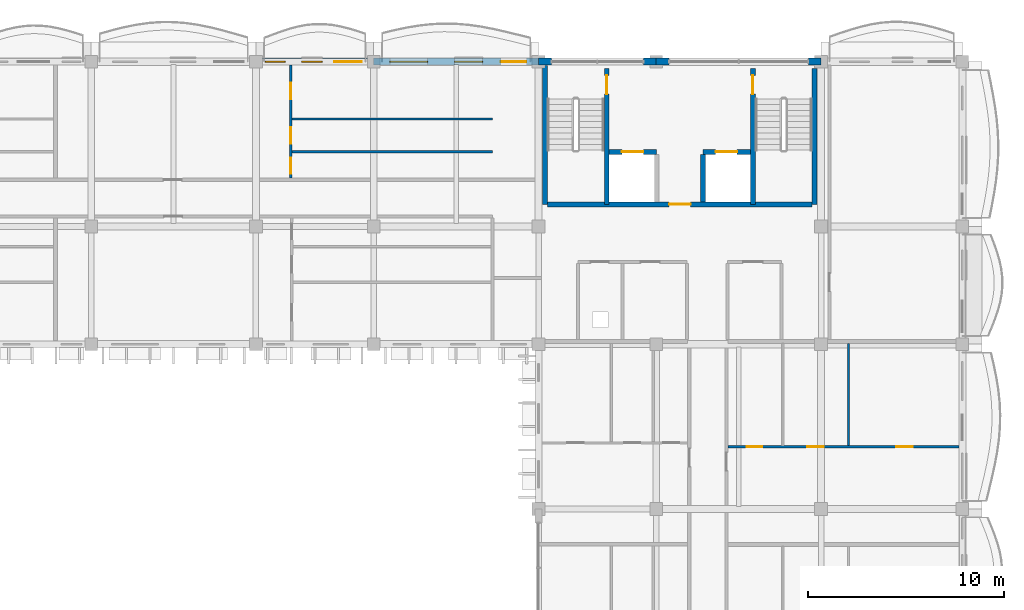
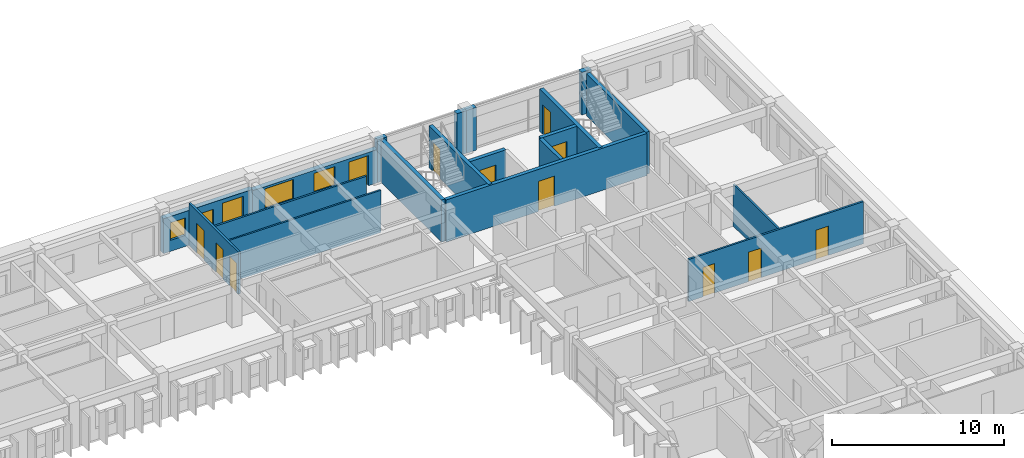
# One storey, part 48 of 79: 19 walls, 13 doors, 4 windows, 17 openings.
"""IFC4 building model written with IfcOpenShell, lengths in metres."""

from ifc_helpers import new_model, si_unit, direction, frame, frame_2d, origin, place, context, subcontext, project, spatial, rectangle, extrude, material, layer, layer_set, type_object, element, fill, save


model = new_model("IFC4")

# Units and contexts
model_context = context("Model", 3, precision=1e-05, world=origin(), true_north=direction((0.0, 1.0)))
body_context = subcontext(model_context, "Body", "Model", "MODEL_VIEW")
ifc_project = project(units=[si_unit("LENGTHUNIT", "METRE"), si_unit("AREAUNIT", "SQUARE_METRE"), si_unit("VOLUMEUNIT", "CUBIC_METRE"), si_unit("PLANEANGLEUNIT", "RADIAN"), si_unit("MASSUNIT", "GRAM", prefix="KILO"), si_unit("THERMODYNAMICTEMPERATUREUNIT", "KELVIN")], contexts=[model_context])

# Site, building, storey
site_placement = place(None, origin())
site = spatial("IfcSite", under=ifc_project, at=site_placement, CompositionType="ELEMENT")
building_placement = place(site_placement, origin())
building = spatial("IfcBuilding", under=site, at=building_placement, Name="Thalorik Housing Commons", CompositionType="ELEMENT")
storey_placement = place(building_placement, frame((0.0, 0.0, 11.39990234375)))
storey = spatial("IfcBuildingStorey", under=building, at=storey_placement, Name="L03", CompositionType="ELEMENT", Elevation=11.39990234375)

# Wall, opening, door
ifc_material_1 = material(Name="Concrete C40/50", Category="concrete")
ifc_layer_1 = layer(ifc_material_1, 0.25, Name="Concrete C40/50", Category="concrete")
ifc_layer_set_1 = layer_set([ifc_layer_1], Name="Concrete C40/50")
wall_type_1 = type_object("IfcWallType", Name="ARC-WAL-CORE-250", PredefinedType="SHEAR", material=ifc_layer_set_1)
wall_1_placement = place(storey_placement, frame((155.875, 123.25, 0.0), z_axis=(0.0, 0.0, 1.0), x_axis=(0.0, -1.0, 0.0)))
wall_1 = element("IfcWall", 1, at=wall_1_placement, inside=storey, type_object=wall_type_1, Name="L03 Core B Stair 1 Shear Wall", PredefinedType="SHEAR", context=body_context, shape_type="SweptSolid", body=[
    extrude(rectangle(XDim=6.925048828125, YDim=0.25, at=frame_2d((3.46240234375, 0.0))), origin(), (0.0, 0.0, 1.0), 3.0),
])
opening_1_placement = place(wall_1_placement, frame((0.35009765625, 0.0, 0.0)))
opening_1 = element("IfcOpeningElement", 2, at=opening_1_placement, cuts=wall_1, Name="Opening ID-0169", PredefinedType="OPENING", context=body_context, shape_type="SweptSolid", body=[
    extrude(rectangle(XDim=0.949951171875, YDim=2.10009765625, at=frame_2d((0.47509765625, 1.050048828125))), frame((0.0, 0.135009765625, 0.0), z_axis=(0.0, -1.0, 0.0), x_axis=(1.0, 0.0, 0.0)), (0.0, 0.0, 1.0), 0.27001953125),
])
ifc_material_2 = material(Name="Steel S355", Category="steel")
door_type_1 = type_object("IfcDoorType", Name="ARC-DR-FD60-950", OperationType="NOTDEFINED", PredefinedType="DOOR", material=ifc_material_2)
door_1_placement = place(opening_1_placement, origin())
door_1 = element("IfcDoor", 3, at=door_1_placement, inside=storey, type_object=door_type_1, Name="L03 Stair ST-B1 Fire Door", OperationType="SINGLE_SWING_RIGHT", OverallHeight=2.10009765625, OverallWidth=0.949951171875, PredefinedType="DOOR", context=body_context, shape_type="SweptSolid", body=[
    extrude(rectangle(XDim=0.949951171875, YDim=2.10009765625, at=frame_2d((0.47509765625, 1.050048828125))), frame((0.0, 0.02490234375, 0.0), z_axis=(0.0, -1.0, 0.0), x_axis=(1.0, 0.0, 0.0)), (0.0, 0.0, 1.0), 0.050048828125),
])
fill(opening_1, door_1)

# Walls
wall_2_placement = place(storey_placement, frame((152.72509765625, 123.39990234375, 0.0), z_axis=(0.0, 0.0, 1.0), x_axis=(0.0, -1.0, 0.0)))
element("IfcWall", 4, at=wall_2_placement, inside=storey, type_object=wall_type_1, Name="L03 Core B Stair 1 Outer Shear Wall", PredefinedType="SHEAR", context=body_context, shape_type="SweptSolid", body=[
    extrude(rectangle(XDim=7.074951171875, YDim=0.25, at=frame_2d((3.53759765625, 0.0))), origin(), (0.0, 0.0, 1.0), 3.0),
])
wall_3_placement = place(storey_placement, frame((166.47509765625, 123.25, 0.0), z_axis=(0.0, 0.0, 1.0), x_axis=(0.0, -1.0, 0.0)))
element("IfcWall", 5, at=wall_3_placement, inside=storey, type_object=wall_type_1, Name="L03 Core B Stair 2 Outer Shear Wall", PredefinedType="SHEAR", context=body_context, shape_type="SweptSolid", body=[
    extrude(rectangle(XDim=6.925048828125, YDim=0.25, at=frame_2d((3.46240234375, 0.0))), origin(), (0.0, 0.0, 1.0), 3.0),
])

# Wall, opening, door
wall_4_placement = place(storey_placement, frame((163.324951171875, 123.25, 0.0), z_axis=(0.0, 0.0, 1.0), x_axis=(0.0, -1.0, 0.0)))
wall_4 = element("IfcWall", 6, at=wall_4_placement, inside=storey, type_object=wall_type_1, Name="L03 Core B Stair 2 Shear Wall", PredefinedType="SHEAR", context=body_context, shape_type="SweptSolid", body=[
    extrude(rectangle(XDim=6.925048828125, YDim=0.25, at=frame_2d((3.46240234375, 0.0))), origin(), (0.0, 0.0, 1.0), 3.0),
])
opening_2_placement = place(wall_4_placement, frame((0.35009765625, 0.0, 0.0)))
opening_2 = element("IfcOpeningElement", 7, at=opening_2_placement, cuts=wall_4, Name="Opening ID-0170", PredefinedType="OPENING", context=body_context, shape_type="SweptSolid", body=[
    extrude(rectangle(XDim=0.949951171875, YDim=2.10009765625, at=frame_2d((0.47509765625, 1.050048828125))), frame((0.0, 0.135009765625, 0.0), z_axis=(0.0, -1.0, 0.0), x_axis=(1.0, 0.0, 0.0)), (0.0, 0.0, 1.0), 0.27001953125),
])
door_2_placement = place(opening_2_placement, origin())
door_2 = element("IfcDoor", 8, at=door_2_placement, inside=storey, type_object=door_type_1, Name="L03 Stair ST-B2 Fire Door", OperationType="SINGLE_SWING_LEFT", OverallHeight=2.10009765625, OverallWidth=0.949951171875, PredefinedType="DOOR", context=body_context, shape_type="SweptSolid", body=[
    extrude(rectangle(XDim=0.949951171875, YDim=2.10009765625, at=frame_2d((0.47509765625, 1.050048828125))), frame((0.0, 0.02490234375, 0.0), z_axis=(0.0, -1.0, 0.0), x_axis=(1.0, 0.0, 0.0)), (0.0, 0.0, 1.0), 0.050048828125),
])
fill(opening_2, door_2)

wall_5_placement = place(storey_placement, frame((156.0, 119.0, 0.0), z_axis=(0.0, 0.0, 1.0), x_axis=(1.0, 0.0, 0.0)))
wall_5 = element("IfcWall", 9, at=wall_5_placement, inside=storey, type_object=wall_type_1, Name="L03 Lift LF-B1 Front Shaft Wall", PredefinedType="SHEAR", context=body_context, shape_type="SweptSolid", body=[
    extrude(rectangle(XDim=2.425048828125, YDim=0.25, at=frame_2d((1.21240234375, 0.0))), origin(), (0.0, 0.0, 1.0), 3.0),
])
opening_3_placement = place(wall_5_placement, frame((0.64990234375, 0.0, 0.0)))
opening_3 = element("IfcOpeningElement", 10, at=opening_3_placement, cuts=wall_5, Name="Opening LD-LF-B1-L03", PredefinedType="OPENING", context=body_context, shape_type="SweptSolid", body=[
    extrude(rectangle(XDim=1.10009765625, YDim=2.14990234375, at=frame_2d((0.550048828125, 1.074951171875))), frame((0.0, 0.135009765625, 0.0), z_axis=(0.0, -1.0, 0.0), x_axis=(1.0, 0.0, 0.0)), (0.0, 0.0, 1.0), 0.27001953125),
])
door_type_2 = type_object("IfcDoorType", Name="ARC-DR-LIFT-1100", OperationType="NOTDEFINED", PredefinedType="DOOR", material=ifc_material_2)
door_3_placement = place(opening_3_placement, origin())
door_3 = element("IfcDoor", 11, at=door_3_placement, inside=storey, type_object=door_type_2, Name="L03 Lift LF-B1 Landing Door", OperationType="SLIDING_TO_LEFT", OverallHeight=2.14990234375, OverallWidth=1.10009765625, PredefinedType="DOOR", context=body_context, shape_type="SweptSolid", body=[
    extrude(rectangle(XDim=1.10009765625, YDim=2.14990234375, at=frame_2d((0.550048828125, 1.074951171875))), frame((0.0, 0.02490234375, 0.0), z_axis=(0.0, -1.0, 0.0), x_axis=(1.0, 0.0, 0.0)), (0.0, 0.0, 1.0), 0.050048828125),
])
fill(opening_3, door_3)

wall_6_placement = place(storey_placement, frame((160.77490234375, 119.0, 0.0), z_axis=(0.0, 0.0, 1.0), x_axis=(1.0, 0.0, 0.0)))
wall_6 = element("IfcWall", 12, at=wall_6_placement, inside=storey, type_object=wall_type_1, Name="L03 Lift LP-B2 Front Shaft Wall", PredefinedType="SHEAR", context=body_context, shape_type="SweptSolid", body=[
    extrude(rectangle(XDim=2.425048828125, YDim=0.25, at=frame_2d((1.21240234375, 0.0))), origin(), (0.0, 0.0, 1.0), 3.0),
])
opening_4_placement = place(wall_6_placement, frame((0.64990234375, 0.0, 0.0)))
opening_4 = element("IfcOpeningElement", 13, at=opening_4_placement, cuts=wall_6, Name="Opening LD-LP-B2-L03", PredefinedType="OPENING", context=body_context, shape_type="SweptSolid", body=[
    extrude(rectangle(XDim=1.10009765625, YDim=2.14990234375, at=frame_2d((0.550048828125, 1.074951171875))), frame((0.0, 0.135009765625, 0.0), z_axis=(0.0, -1.0, 0.0), x_axis=(1.0, 0.0, 0.0)), (0.0, 0.0, 1.0), 0.27001953125),
])
door_4_placement = place(opening_4_placement, origin())
door_4 = element("IfcDoor", 14, at=door_4_placement, inside=storey, type_object=door_type_2, Name="L03 Lift LP-B2 Landing Door", OperationType="SLIDING_TO_LEFT", OverallHeight=2.14990234375, OverallWidth=1.10009765625, PredefinedType="DOOR", context=body_context, shape_type="SweptSolid", body=[
    extrude(rectangle(XDim=1.10009765625, YDim=2.14990234375, at=frame_2d((0.550048828125, 1.074951171875))), frame((0.0, 0.02490234375, 0.0), z_axis=(0.0, -1.0, 0.0), x_axis=(1.0, 0.0, 0.0)), (0.0, 0.0, 1.0), 0.050048828125),
])
fill(opening_4, door_4)

# Wall
wall_7_placement = place(storey_placement, frame((160.77490234375, 118.875, 0.0), z_axis=(0.0, 0.0, 1.0), x_axis=(0.0, -1.0, 0.0)))
element("IfcWall", 15, at=wall_7_placement, inside=storey, type_object=wall_type_1, Name="L03 Lift 2 Cheek Wall", PredefinedType="SHEAR", context=body_context, shape_type="SweptSolid", body=[
    extrude(rectangle(XDim=2.425048828125, YDim=0.25, at=frame_2d((1.21240234375, 0.0))), origin(), (0.0, 0.0, 1.0), 3.0),
])

# Wall, opening, door
wall_8_placement = place(storey_placement, frame((152.85009765625, 116.324951171875, 0.0), z_axis=(0.0, 0.0, 1.0), x_axis=(1.0, 0.0, 0.0)))
wall_8 = element("IfcWall", 16, at=wall_8_placement, inside=storey, type_object=wall_type_1, Name="L03 Core B Spine Shear Wall", PredefinedType="SHEAR", context=body_context, shape_type="SweptSolid", body=[
    extrude(rectangle(XDim=13.5, YDim=0.25, at=frame_2d((6.75, 0.0))), origin(), (0.0, 0.0, 1.0), 3.0),
])
opening_5_placement = place(wall_8_placement, frame((6.199951171875, 0.0, 0.0)))
opening_5 = element("IfcOpeningElement", 17, at=opening_5_placement, cuts=wall_8, Name="Opening ID-0173", PredefinedType="OPENING", context=body_context, shape_type="SweptSolid", body=[
    extrude(rectangle(XDim=1.10009765625, YDim=2.14990234375, at=frame_2d((0.550048828125, 1.074951171875))), frame((0.0, 0.135009765625, 0.0), z_axis=(0.0, -1.0, 0.0), x_axis=(1.0, 0.0, 0.0)), (0.0, 0.0, 1.0), 0.27001953125),
])
door_type_3 = type_object("IfcDoorType", Name="ARC-DR-FD60-1100", OperationType="NOTDEFINED", PredefinedType="DOOR", material=ifc_material_2)
door_5_placement = place(opening_5_placement, origin())
door_5 = element("IfcDoor", 18, at=door_5_placement, inside=storey, type_object=door_type_3, Name="L03 Core B Lobby Fire Door", OperationType="SINGLE_SWING_RIGHT", OverallHeight=2.14990234375, OverallWidth=1.10009765625, PredefinedType="DOOR", context=body_context, shape_type="SweptSolid", body=[
    extrude(rectangle(XDim=1.10009765625, YDim=2.14990234375, at=frame_2d((0.550048828125, 1.074951171875))), frame((0.0, 0.02490234375, 0.0), z_axis=(0.0, -1.0, 0.0), x_axis=(1.0, 0.0, 0.0)), (0.0, 0.0, 1.0), 0.050048828125),
])
fill(opening_5, door_5)

# Walls
ifc_material_3 = material(Name="White precast concrete C40/50", Category="concrete")
ifc_layer_2 = layer(ifc_material_3, 0.35009765625, Name="White precast concrete C40/50", Category="concrete")
ifc_layer_set_2 = layer_set([ifc_layer_2], Name="White precast concrete C40/50")
wall_type_2 = type_object("IfcWallType", Name="ARC-WAL-EXT-350", PredefinedType="STANDARD", material=ifc_layer_set_2)
for number, where, z_axis, x_axis, name in (
    (19, (166.800048828125, 123.60009765625, 0.0), (0.0, 0.0, 1.0), (-1.0, 0.0, 0.0), "L03 Exterior Wall WAL-PIERL-L03-B-0486"),
    (20, (159.050048828125, 123.60009765625, 0.0), (0.0, 0.0, 1.0), (-1.0, 0.0, 0.0), "L03 Exterior Wall WAL-PIERR-L03-B-0486"),
):
    element("IfcWall", number, at=place(storey_placement, frame(where, z_axis=z_axis, x_axis=x_axis)), inside=storey, type_object=wall_type_2, Name=name, PredefinedType="STANDARD", context=body_context, shape_type="SweptSolid", body=[
        extrude(rectangle(XDim=0.650146484375, YDim=0.35009765625, at=frame_2d((0.3251953125, 0.0))), origin(), (0.0, 0.0, 1.0), 3.0400390625),
    ])
wall_9_placement = place(storey_placement, frame((158.39990234375, 123.60009765625, 0.0), z_axis=(0.0, 0.0, 1.0), x_axis=(-1.0, 0.0, 0.0)))
element("IfcWall", 21, at=wall_9_placement, inside=storey, type_object=wall_type_2, Name="L03 Exterior Wall WAL-PIERL-L03-B-0487", PredefinedType="STANDARD", context=body_context, shape_type="SweptSolid", body=[
    extrude(rectangle(XDim=0.64990234375, YDim=0.35009765625, at=frame_2d((0.324951171875, 0.0))), origin(), (0.0, 0.0, 1.0), 3.0400390625),
])
wall_10_placement = place(storey_placement, frame((153.050048828125, 123.60009765625, 0.0), z_axis=(0.0, 0.0, 1.0), x_axis=(-1.0, 0.0, 0.0)))
element("IfcWall", 22, at=wall_10_placement, inside=storey, type_object=wall_type_2, Name="L03 Exterior Wall WAL-PIERR-L03-B-0487", PredefinedType="STANDARD", context=body_context, shape_type="SweptSolid", body=[
    extrude(rectangle(XDim=0.650146484375, YDim=0.35009765625, at=frame_2d((0.3251953125, 0.0))), origin(), (0.0, 0.0, 1.0), 3.0400390625),
])

# Wall, openings, door, windows
wall_11_placement = place(storey_placement, frame((152.39990234375, 123.60009765625, 0.0), z_axis=(0.0, 0.0, 1.0), x_axis=(-1.0, 0.0, 0.0)))
wall_11 = element("IfcWall", 23, at=wall_11_placement, inside=storey, type_object=wall_type_2, Name="L03 Exterior Wall WAL-EXT-L03-B-0488", PredefinedType="STANDARD", context=body_context, shape_type="SweptSolid", body=[
    extrude(rectangle(XDim=8.39990234375, YDim=0.35009765625, at=frame_2d((4.199951171875, 0.0))), origin(), (0.0, 0.0, 1.0), 2.375),
])
opening_6_placement = place(wall_11_placement, frame((0.6201171875, 0.0, 0.0)))
opening_6 = element("IfcOpeningElement", 24, at=opening_6_placement, cuts=wall_11, Name="Opening ED-0143", PredefinedType="OPENING", context=body_context, shape_type="SweptSolid", body=[
    extrude(rectangle(XDim=1.300048828125, YDim=2.14990234375, at=frame_2d((0.64990234375, 1.074951171875))), frame((0.0, 0.18505859375, 0.0), z_axis=(0.0, -1.0, 0.0), x_axis=(1.0, 0.0, 0.0)), (0.0, 0.0, 1.0), 0.3701171875),
])
opening_7_placement = place(wall_11_placement, frame((2.85498046875, 0.0, 0.780029296875)))
opening_7 = element("IfcOpeningElement", 25, at=opening_7_placement, cuts=wall_11, Name="Opening W-50", PredefinedType="OPENING", context=body_context, shape_type="SweptSolid", body=[
    extrude(rectangle(XDim=1.419921875, YDim=1.3798828125, at=frame_2d((0.7099609375, 0.68994140625))), frame((0.0, 0.18505859375, 0.0), z_axis=(0.0, -1.0, 0.0), x_axis=(1.0, 0.0, 0.0)), (0.0, 0.0, 1.0), 0.3701171875),
])
opening_8_placement = place(wall_11_placement, frame((5.655029296875, 0.0, 0.780029296875)))
opening_8 = element("IfcOpeningElement", 26, at=opening_8_placement, cuts=wall_11, Name="Opening W-60", PredefinedType="OPENING", context=body_context, shape_type="SweptSolid", body=[
    extrude(rectangle(XDim=1.919921875, YDim=1.43994140625, at=frame_2d((0.9599609375, 0.719970703125))), frame((0.0, 0.18505859375, 0.0), z_axis=(0.0, -1.0, 0.0), x_axis=(1.0, 0.0, 0.0)), (0.0, 0.0, 1.0), 0.3701171875),
])
ifc_material_4 = material(Name="Anodised aluminium and laminated safety glass", Category="aluminium")
door_type_4 = type_object("IfcDoorType", Name="ARC-DR-BAL-1300", OperationType="NOTDEFINED", PredefinedType="DOOR", material=ifc_material_4)
door_6_placement = place(opening_6_placement, frame((1.300048828125, 0.0, 0.0), z_axis=(0.0, 0.0, 1.0), x_axis=(-1.0, 0.0, 0.0)))
door_6 = element("IfcDoor", 27, at=door_6_placement, inside=storey, type_object=door_type_4, Name="L03 Block B Balcony Glazed Door", OperationType="SINGLE_SWING_RIGHT", OverallHeight=2.14990234375, OverallWidth=1.300048828125, PredefinedType="DOOR", context=body_context, shape_type="SweptSolid", body=[
    extrude(rectangle(XDim=1.300048828125, YDim=2.14990234375, at=frame_2d((0.64990234375, 1.074951171875))), frame((0.0, 0.02490234375, 0.0), z_axis=(0.0, -1.0, 0.0), x_axis=(1.0, 0.0, 0.0)), (0.0, 0.0, 1.0), 0.050048828125),
])
fill(opening_6, door_6)
ifc_material_5 = material(Name="Anodised aluminium and solar-control low-E glass", Category="aluminium")
window_type_1 = type_object("IfcWindowType", Name="ARC-WIN-50", PartitioningType="SINGLE_PANEL", PredefinedType="WINDOW", material=ifc_material_5)
window_1_placement = place(opening_7_placement, origin())
window_1 = element("IfcWindow", 28, at=window_1_placement, inside=storey, type_object=window_type_1, Name="L03 Facade Window 876", OverallHeight=1.3798828125, OverallWidth=1.419921875, PartitioningType="SINGLE_PANEL", PredefinedType="WINDOW", context=body_context, shape_type="SweptSolid", body=[
    extrude(rectangle(XDim=1.419921875, YDim=1.3798828125, at=frame_2d((0.7099609375, 0.68994140625))), frame((0.0, 0.030029296875, 0.0), z_axis=(0.0, -1.0, 0.0), x_axis=(1.0, 0.0, 0.0)), (0.0, 0.0, 1.0), 0.06005859375),
])
fill(opening_7, window_1)
window_type_2 = type_object("IfcWindowType", Name="ARC-WIN-60", PartitioningType="DOUBLE_PANEL_VERTICAL", PredefinedType="WINDOW", material=ifc_material_5)
window_2_placement = place(opening_8_placement, origin())
window_2 = element("IfcWindow", 29, at=window_2_placement, inside=storey, type_object=window_type_2, Name="L03 Facade Window 877", OverallHeight=1.43994140625, OverallWidth=1.919921875, PartitioningType="DOUBLE_PANEL_VERTICAL", PredefinedType="WINDOW", context=body_context, shape_type="SweptSolid", body=[
    extrude(rectangle(XDim=1.919921875, YDim=1.43994140625, at=frame_2d((0.9599609375, 0.719970703125))), frame((0.0, 0.030029296875, 0.0), z_axis=(0.0, -1.0, 0.0), x_axis=(1.0, 0.0, 0.0)), (0.0, 0.0, 1.0), 0.06005859375),
])
fill(opening_8, window_2)

wall_12_placement = place(storey_placement, frame((144.0, 123.60009765625, 0.0), z_axis=(0.0, 0.0, 1.0), x_axis=(-1.0, 0.0, 0.0)))
wall_12 = element("IfcWall", 30, at=wall_12_placement, inside=storey, type_object=wall_type_2, Name="L03 Exterior Wall WAL-EXT-L03-B-0489", PredefinedType="STANDARD", context=body_context, shape_type="SweptSolid", body=[
    extrude(rectangle(XDim=6.0, YDim=0.35009765625, at=frame_2d((3.0, 0.0))), origin(), (0.0, 0.0, 1.0), 2.47509765625),
])
opening_9_placement = place(wall_12_placement, frame((0.6201171875, 0.0, 0.0)))
opening_9 = element("IfcOpeningElement", 31, at=opening_9_placement, cuts=wall_12, Name="Opening ED-0144", PredefinedType="OPENING", context=body_context, shape_type="SweptSolid", body=[
    extrude(rectangle(XDim=1.39990234375, YDim=2.199951171875, at=frame_2d((0.699951171875, 1.10009765625))), frame((0.0, 0.18505859375, 0.0), z_axis=(0.0, -1.0, 0.0), x_axis=(1.0, 0.0, 0.0)), (0.0, 0.0, 1.0), 0.3701171875),
])
opening_10_placement = place(wall_12_placement, frame((2.625244140625, 0.0, 0.780029296875)))
opening_10 = element("IfcOpeningElement", 32, at=opening_10_placement, cuts=wall_12, Name="Opening W-44", PredefinedType="OPENING", context=body_context, shape_type="SweptSolid", body=[
    extrude(rectangle(XDim=1.050048828125, YDim=1.199951171875, at=frame_2d((0.52490234375, 0.60009765625))), frame((0.0, 0.18505859375, 0.0), z_axis=(0.0, -1.0, 0.0), x_axis=(1.0, 0.0, 0.0)), (0.0, 0.0, 1.0), 0.3701171875),
])
opening_11_placement = place(wall_12_placement, frame((4.520263671875, 0.0, 0.780029296875)))
opening_11 = element("IfcOpeningElement", 33, at=opening_11_placement, cuts=wall_12, Name="Opening W-02", PredefinedType="OPENING", context=body_context, shape_type="SweptSolid", body=[
    extrude(rectangle(XDim=1.0, YDim=1.25, at=frame_2d((0.5, 0.625))), frame((0.0, 0.18505859375, 0.0), z_axis=(0.0, -1.0, 0.0), x_axis=(1.0, 0.0, 0.0)), (0.0, 0.0, 1.0), 0.3701171875),
])
door_type_5 = type_object("IfcDoorType", Name="ARC-DR-BAL-1400", OperationType="NOTDEFINED", PredefinedType="DOOR", material=ifc_material_4)
door_7_placement = place(opening_9_placement, frame((1.39990234375, 0.0, 0.0), z_axis=(0.0, 0.0, 1.0), x_axis=(-1.0, 0.0, 0.0)))
door_7 = element("IfcDoor", 34, at=door_7_placement, inside=storey, type_object=door_type_5, Name="L03 Block B Balcony Glazed Door", OperationType="SLIDING_TO_LEFT", OverallHeight=2.199951171875, OverallWidth=1.39990234375, PredefinedType="DOOR", context=body_context, shape_type="SweptSolid", body=[
    extrude(rectangle(XDim=1.39990234375, YDim=2.199951171875, at=frame_2d((0.699951171875, 1.10009765625))), frame((0.0, 0.02490234375, 0.0), z_axis=(0.0, -1.0, 0.0), x_axis=(1.0, 0.0, 0.0)), (0.0, 0.0, 1.0), 0.050048828125),
])
fill(opening_9, door_7)
window_type_3 = type_object("IfcWindowType", Name="ARC-WIN-02", PartitioningType="SINGLE_PANEL", PredefinedType="WINDOW", material=ifc_material_5)
window_3_placement = place(opening_11_placement, origin())
window_3 = element("IfcWindow", 35, at=window_3_placement, inside=storey, type_object=window_type_3, Name="L03 Facade Window 879", OverallHeight=1.25, OverallWidth=1.0, PartitioningType="SINGLE_PANEL", PredefinedType="WINDOW", context=body_context, shape_type="SweptSolid", body=[
    extrude(rectangle(XDim=1.0, YDim=1.25, at=frame_2d((0.5, 0.625))), frame((0.0, 0.030029296875, 0.0), z_axis=(0.0, -1.0, 0.0), x_axis=(1.0, 0.0, 0.0)), (0.0, 0.0, 1.0), 0.06005859375),
])
fill(opening_11, window_3)
window_type_4 = type_object("IfcWindowType", Name="ARC-WIN-44", PartitioningType="SINGLE_PANEL", PredefinedType="WINDOW", material=ifc_material_5)
window_4_placement = place(opening_10_placement, origin())
window_4 = element("IfcWindow", 36, at=window_4_placement, inside=storey, type_object=window_type_4, Name="L03 Facade Window 878", OverallHeight=1.199951171875, OverallWidth=1.050048828125, PartitioningType="SINGLE_PANEL", PredefinedType="WINDOW", context=body_context, shape_type="SweptSolid", body=[
    extrude(rectangle(XDim=1.050048828125, YDim=1.199951171875, at=frame_2d((0.52490234375, 0.60009765625))), frame((0.0, 0.030029296875, 0.0), z_axis=(0.0, -1.0, 0.0), x_axis=(1.0, 0.0, 0.0)), (0.0, 0.0, 1.0), 0.06005859375),
])
fill(opening_10, window_4)

# Walls
ifc_material_6 = material(Name="Gypsum moisture-resistant partition", Category="masonry")
ifc_layer_3 = layer(ifc_material_6, 0.114990234375, Name="Gypsum moisture-resistant partition", Category="masonry")
ifc_layer_set_3 = layer_set([ifc_layer_3], Name="Gypsum moisture-resistant partition")
wall_type_3 = type_object("IfcWallType", Name="ARC-WAL-PART-115", PredefinedType="PARTITIONING", material=ifc_layer_set_3)
wall_13_placement = place(storey_placement, frame((139.841552734375, 119.010498046875, 0.0), z_axis=(0.0, 0.0, 1.0), x_axis=(1.0, 0.0, 0.0)))
element("IfcWall", 37, at=wall_13_placement, inside=storey, type_object=wall_type_3, Name="L03 Unit 3B Wet Wall", PredefinedType="PARTITIONING", context=body_context, shape_type="SweptSolid", body=[
    extrude(rectangle(XDim=10.20849609375, YDim=0.114990234375, at=frame_2d((5.104248046875, 0.0))), origin(), (0.0, 0.0, 1.0), 3.0),
])
wall_14_placement = place(storey_placement, frame((168.19921875, 104.027587890625, 0.0), z_axis=(0.0, 0.0, 1.0), x_axis=(0.0, 1.0, 0.0)))
element("IfcWall", 38, at=wall_14_placement, inside=storey, type_object=wall_type_3, Name="L03 Unit 3B Bedroom Partition", PredefinedType="PARTITIONING", context=body_context, shape_type="SweptSolid", body=[
    extrude(rectangle(XDim=5.218017578125, YDim=0.114990234375, at=frame_2d((2.60888671875, 0.0))), origin(), (0.0, 0.0, 1.0), 3.0),
])
ifc_material_7 = material(Name="Gypsum acoustic stud partition", Category="masonry")
ifc_layer_4 = layer(ifc_material_7, 0.125, Name="Gypsum acoustic stud partition", Category="masonry")
ifc_layer_set_4 = layer_set([ifc_layer_4], Name="Gypsum acoustic stud partition")
wall_type_4 = type_object("IfcWallType", Name="ARC-WAL-PART-125", PredefinedType="PARTITIONING", material=ifc_layer_set_4)
wall_15_placement = place(storey_placement, frame((139.841552734375, 120.67919921875, 0.0), z_axis=(0.0, 0.0, 1.0), x_axis=(1.0, 0.0, 0.0)))
element("IfcWall", 39, at=wall_15_placement, inside=storey, type_object=wall_type_4, Name="L03 Unit 3B Bedroom Partition", PredefinedType="PARTITIONING", context=body_context, shape_type="SweptSolid", body=[
    extrude(rectangle(XDim=10.20849609375, YDim=0.125, at=frame_2d((5.104248046875, 0.0))), origin(), (0.0, 0.0, 1.0), 3.0),
])

# Wall, openings, doors
wall_16_placement = place(storey_placement, frame((162.056884765625, 103.963134765625, 0.0), z_axis=(0.0, 0.0, 1.0), x_axis=(1.0, 0.0, 0.0)))
wall_16 = element("IfcWall", 40, at=wall_16_placement, inside=storey, type_object=wall_type_4, Name="L03 Unit 3B Spine Partition", PredefinedType="PARTITIONING", context=body_context, shape_type="SweptSolid", body=[
    extrude(rectangle(XDim=11.76611328125, YDim=0.125, at=frame_2d((5.883056640625, 0.0))), origin(), (0.0, 0.0, 1.0), 3.0),
])
opening_12_placement = place(wall_16_placement, frame((0.958251953125, 0.0, 0.0)))
opening_12 = element("IfcOpeningElement", 41, at=opening_12_placement, cuts=wall_16, Name="Opening ID-1114", PredefinedType="OPENING", context=body_context, shape_type="SweptSolid", body=[
    extrude(rectangle(XDim=0.800048828125, YDim=2.10009765625, at=frame_2d((0.39990234375, 1.050048828125))), frame((0.0, 0.072509765625, 0.0), z_axis=(0.0, -1.0, 0.0), x_axis=(1.0, 0.0, 0.0)), (0.0, 0.0, 1.0), 0.14501953125),
])
opening_13_placement = place(wall_16_placement, frame((4.042724609375, 0.0, 0.0)))
opening_13 = element("IfcOpeningElement", 42, at=opening_13_placement, cuts=wall_16, Name="Opening ID-1115", PredefinedType="OPENING", context=body_context, shape_type="SweptSolid", body=[
    extrude(rectangle(XDim=0.85009765625, YDim=2.10009765625, at=frame_2d((0.425048828125, 1.050048828125))), frame((0.0, 0.072509765625, 0.0), z_axis=(0.0, -1.0, 0.0), x_axis=(1.0, 0.0, 0.0)), (0.0, 0.0, 1.0), 0.14501953125),
])
opening_14_placement = place(wall_16_placement, frame((8.587646484375, 0.0, 0.0)))
opening_14 = element("IfcOpeningElement", 43, at=opening_14_placement, cuts=wall_16, Name="Opening ID-1116", PredefinedType="OPENING", context=body_context, shape_type="SweptSolid", body=[
    extrude(rectangle(XDim=0.820068359375, YDim=2.080078125, at=frame_2d((0.41015625, 1.0400390625))), frame((0.0, 0.072509765625, 0.0), z_axis=(0.0, -1.0, 0.0), x_axis=(1.0, 0.0, 0.0)), (0.0, 0.0, 1.0), 0.14501953125),
])
ifc_material_8 = material(Name="Moisture-resistant timber", Category="wood")
door_type_6 = type_object("IfcDoorType", Name="ARC-DR-INT-800", OperationType="NOTDEFINED", PredefinedType="DOOR", material=ifc_material_8)
door_8_placement = place(opening_12_placement, origin())
door_8 = element("IfcDoor", 44, at=door_8_placement, inside=storey, type_object=door_type_6, Name="L03 Flat Bathroom Door", OperationType="SINGLE_SWING_LEFT", OverallHeight=2.10009765625, OverallWidth=0.800048828125, PredefinedType="DOOR", context=body_context, shape_type="SweptSolid", body=[
    extrude(rectangle(XDim=0.800048828125, YDim=2.10009765625, at=frame_2d((0.39990234375, 1.050048828125))), frame((0.0, 0.02490234375, 0.0), z_axis=(0.0, -1.0, 0.0), x_axis=(1.0, 0.0, 0.0)), (0.0, 0.0, 1.0), 0.050048828125),
])
fill(opening_12, door_8)
ifc_material_9 = material(Name="Engineered oak timber", Category="wood")
door_type_7 = type_object("IfcDoorType", Name="ARC-DR-INT-820", OperationType="NOTDEFINED", PredefinedType="DOOR", material=ifc_material_9)
door_9_placement = place(opening_14_placement, origin())
door_9 = element("IfcDoor", 45, at=door_9_placement, inside=storey, type_object=door_type_7, Name="L03 Single Bedroom Door", OperationType="SINGLE_SWING_LEFT", OverallHeight=2.080078125, OverallWidth=0.820068359375, PredefinedType="DOOR", context=body_context, shape_type="SweptSolid", body=[
    extrude(rectangle(XDim=0.820068359375, YDim=2.080078125, at=frame_2d((0.41015625, 1.0400390625))), frame((0.0, 0.02490234375, 0.0), z_axis=(0.0, -1.0, 0.0), x_axis=(1.0, 0.0, 0.0)), (0.0, 0.0, 1.0), 0.050048828125),
])
fill(opening_14, door_9)
door_type_8 = type_object("IfcDoorType", Name="ARC-DR-INT-850", OperationType="NOTDEFINED", PredefinedType="DOOR", material=ifc_material_9)
door_10_placement = place(opening_13_placement, origin())
door_10 = element("IfcDoor", 46, at=door_10_placement, inside=storey, type_object=door_type_8, Name="L03 Galley Kitchen Door", OperationType="SINGLE_SWING_RIGHT", OverallHeight=2.10009765625, OverallWidth=0.85009765625, PredefinedType="DOOR", context=body_context, shape_type="SweptSolid", body=[
    extrude(rectangle(XDim=0.85009765625, YDim=2.10009765625, at=frame_2d((0.425048828125, 1.050048828125))), frame((0.0, 0.02490234375, 0.0), z_axis=(0.0, -1.0, 0.0), x_axis=(1.0, 0.0, 0.0)), (0.0, 0.0, 1.0), 0.050048828125),
])
fill(opening_13, door_10)

ifc_material_10 = material(Name="Ceramic masonry partition wall", Category="masonry")
ifc_layer_5 = layer(ifc_material_10, 0.139892578125, Name="Ceramic masonry partition wall", Category="masonry")
ifc_layer_set_5 = layer_set([ifc_layer_5], Name="Ceramic masonry partition wall")
wall_type_5 = type_object("IfcWallType", Name="ARC-WAL-PART-140", PredefinedType="PARTITIONING", material=ifc_layer_set_5)
wall_17_placement = place(storey_placement, frame((139.76953125, 117.66455078125, 0.0), z_axis=(0.0, 0.0, 1.0), x_axis=(0.0, 1.0, 0.0)))
wall_17 = element("IfcWall", 47, at=wall_17_placement, inside=storey, type_object=wall_type_5, Name="L03 Unit 3B Spine Partition", PredefinedType="PARTITIONING", context=body_context, shape_type="SweptSolid", body=[
    extrude(rectangle(XDim=5.758544921875, YDim=0.139892578125, at=frame_2d((2.87939453125, 0.0))), origin(), (0.0, 0.0, 1.0), 3.0),
])
opening_15_placement = place(wall_17_placement, frame((0.230712890625, 0.0, 0.0)))
opening_15 = element("IfcOpeningElement", 48, at=opening_15_placement, cuts=wall_17, Name="Opening ID-1089", PredefinedType="OPENING", context=body_context, shape_type="SweptSolid", body=[
    extrude(rectangle(XDim=0.800048828125, YDim=2.10009765625, at=frame_2d((0.39990234375, 1.050048828125))), frame((0.0, 0.080078125, 0.0), z_axis=(0.0, -1.0, 0.0), x_axis=(1.0, 0.0, 0.0)), (0.0, 0.0, 1.0), 0.159912109375),
])
opening_16_placement = place(wall_17_placement, frame((1.75537109375, 0.0, 0.0)))
opening_16 = element("IfcOpeningElement", 49, at=opening_16_placement, cuts=wall_17, Name="Opening ID-1090", PredefinedType="OPENING", context=body_context, shape_type="SweptSolid", body=[
    extrude(rectangle(XDim=0.85009765625, YDim=2.10009765625, at=frame_2d((0.425048828125, 1.050048828125))), frame((0.0, 0.080078125, 0.0), z_axis=(0.0, -1.0, 0.0), x_axis=(1.0, 0.0, 0.0)), (0.0, 0.0, 1.0), 0.159912109375),
])
opening_17_placement = place(wall_17_placement, frame((4.02001953125, 0.0, 0.0)))
opening_17 = element("IfcOpeningElement", 50, at=opening_17_placement, cuts=wall_17, Name="Opening ID-1091", PredefinedType="OPENING", context=body_context, shape_type="SweptSolid", body=[
    extrude(rectangle(XDim=0.85009765625, YDim=2.10009765625, at=frame_2d((0.425048828125, 1.050048828125))), frame((0.0, 0.080078125, 0.0), z_axis=(0.0, -1.0, 0.0), x_axis=(1.0, 0.0, 0.0)), (0.0, 0.0, 1.0), 0.159912109375),
])
door_11_placement = place(opening_15_placement, origin())
door_11 = element("IfcDoor", 51, at=door_11_placement, inside=storey, type_object=door_type_6, Name="L03 Flat Bathroom Door", OperationType="SINGLE_SWING_RIGHT", OverallHeight=2.10009765625, OverallWidth=0.800048828125, PredefinedType="DOOR", context=body_context, shape_type="SweptSolid", body=[
    extrude(rectangle(XDim=0.800048828125, YDim=2.10009765625, at=frame_2d((0.39990234375, 1.050048828125))), frame((0.0, 0.02490234375, 0.0), z_axis=(0.0, -1.0, 0.0), x_axis=(1.0, 0.0, 0.0)), (0.0, 0.0, 1.0), 0.050048828125),
])
fill(opening_15, door_11)
door_12_placement = place(opening_16_placement, origin())
door_12 = element("IfcDoor", 52, at=door_12_placement, inside=storey, type_object=door_type_8, Name="L03 Galley Kitchen Door", OperationType="SINGLE_SWING_LEFT", OverallHeight=2.10009765625, OverallWidth=0.85009765625, PredefinedType="DOOR", context=body_context, shape_type="SweptSolid", body=[
    extrude(rectangle(XDim=0.85009765625, YDim=2.10009765625, at=frame_2d((0.425048828125, 1.050048828125))), frame((0.0, 0.02490234375, 0.0), z_axis=(0.0, -1.0, 0.0), x_axis=(1.0, 0.0, 0.0)), (0.0, 0.0, 1.0), 0.050048828125),
])
fill(opening_16, door_12)
door_13_placement = place(opening_17_placement, origin())
door_13 = element("IfcDoor", 53, at=door_13_placement, inside=storey, type_object=door_type_8, Name="L03 Single Bedroom Door", OperationType="SINGLE_SWING_RIGHT", OverallHeight=2.10009765625, OverallWidth=0.85009765625, PredefinedType="DOOR", context=body_context, shape_type="SweptSolid", body=[
    extrude(rectangle(XDim=0.85009765625, YDim=2.10009765625, at=frame_2d((0.425048828125, 1.050048828125))), frame((0.0, 0.02490234375, 0.0), z_axis=(0.0, -1.0, 0.0), x_axis=(1.0, 0.0, 0.0)), (0.0, 0.0, 1.0), 0.050048828125),
])
fill(opening_17, door_13)

save(model, "model.ifc")
